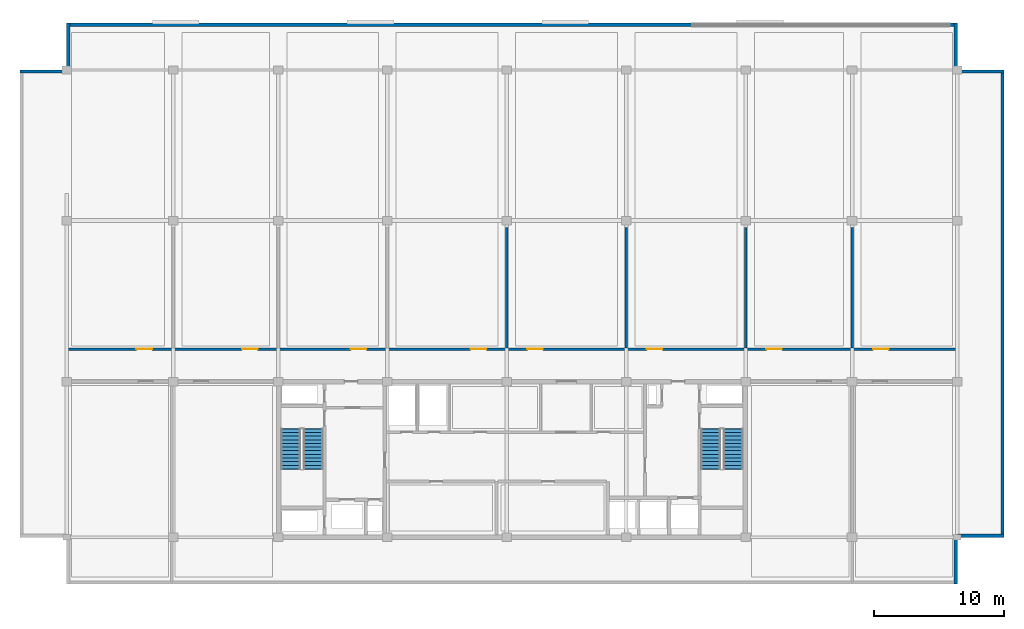
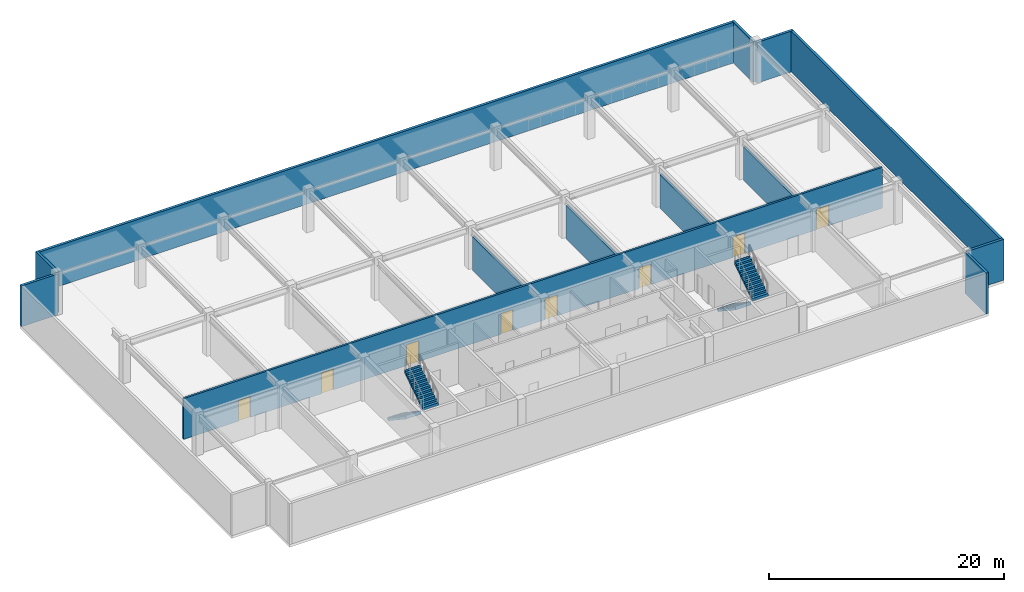
# One storey, part 5 of 9: 13 walls, 8 doors, 4 stair flights, 8 openings, 2 elements without a shape of their own.
"""IFC4 building model written with IfcOpenShell, lengths in metres."""

from ifc_helpers import new_model, si_unit, direction, frame, frame_2d, origin, place, context, subcontext, project, spatial, polyline, rectangle, outline, extrude, material, layer, layer_set, type_object, element, fill, aggregate, save


model = new_model("IFC4")

# Units and contexts
model_context = context("Model", 3, precision=1e-05, world=origin(), true_north=direction((0.0, 1.0)))
body_context = subcontext(model_context, "Body", "Model", "MODEL_VIEW")
ifc_project = project(units=[si_unit("LENGTHUNIT", "METRE"), si_unit("AREAUNIT", "SQUARE_METRE"), si_unit("VOLUMEUNIT", "CUBIC_METRE"), si_unit("PLANEANGLEUNIT", "RADIAN"), si_unit("MASSUNIT", "GRAM", prefix="KILO")], contexts=[model_context])

# Site, building, storey
site_placement = place(None, origin())
site = spatial("IfcSite", under=ifc_project, at=site_placement, CompositionType="ELEMENT")
building_placement = place(site_placement, origin())
building = spatial("IfcBuilding", under=site, at=building_placement, Name="Korimba Cascade Residences", CompositionType="ELEMENT")
storey_placement = place(building_placement, frame((0.0, 0.0, 259.699951171875)))
storey = spatial("IfcBuildingStorey", under=building, at=storey_placement, Name="L75", CompositionType="ELEMENT", Elevation=259.699951171875)

# Walls
ifc_material_1 = material(Name="Precast concrete C40/50", Category="concrete")
ifc_layer_1 = layer(ifc_material_1, 0.25)
ifc_layer_set_1 = layer_set([ifc_layer_1], Name="Precast concrete C40/50")
wall_type_1 = type_object("IfcWallType", Name="EW-PLNT-250", PredefinedType="SHEAR", material=ifc_layer_set_1)
wall_1_placement = place(storey_placement, frame((128.27490234375, 51.60009765625, 0.0), z_axis=(0.0, 0.0, 1.0), x_axis=(0.0, 1.0, 0.0)))
element("IfcWall", 1, at=wall_1_placement, inside=storey, type_object=wall_type_1, Name="L75 T1 Perimeter Stone Wall E01", PredefinedType="SHEAR", context=body_context, shape_type="SweptSolid", body=[
    extrude(rectangle(XDim=3.599853515625, YDim=0.25, at=frame_2d((1.7998046875, 0.0))), origin(), (0.0, 0.0, 1.0), 4.22998046875),
])
wall_2_placement = place(storey_placement, frame((128.39990234375, 55.324951171875, 0.0), z_axis=(0.0, 0.0, 1.0), x_axis=(1.0, 0.0, 0.0)))
element("IfcWall", 2, at=wall_2_placement, inside=storey, type_object=wall_type_1, Name="L75 T1 Perimeter Stone Wall E02", PredefinedType="SHEAR", context=body_context, shape_type="SweptSolid", body=[
    extrude(rectangle(XDim=3.60009765625, YDim=0.25, at=frame_2d((1.800048828125, 0.0))), origin(), (0.0, 0.0, 1.0), 4.22998046875),
])
wall_3_placement = place(storey_placement, frame((131.875, 55.199951171875, 0.0), z_axis=(0.0, 0.0, 1.0), x_axis=(0.0, 1.0, 0.0)))
element("IfcWall", 3, at=wall_3_placement, inside=storey, type_object=wall_type_1, Name="L75 T1 Perimeter Stone Wall E03", PredefinedType="SHEAR", context=body_context, shape_type="SweptSolid", body=[
    extrude(rectangle(XDim=36.0, YDim=0.25, at=frame_2d((18.0, 0.0))), origin(), (0.0, 0.0, 1.0), 4.22998046875),
])
for number, where, z_axis, x_axis, name in (
    (4, (132.0, 91.074951171875, 0.0), (0.0, 0.0, 1.0), (-1.0, 0.0, 0.0), "L75 T1 Perimeter Stone Wall E04"),
    (5, (128.27490234375, 91.199951171875, 0.0), (0.0, 0.0, 1.0), (0.0, 1.0, 0.0), "L75 T1 Perimeter Stone Wall E05"),
):
    element("IfcWall", number, at=place(storey_placement, frame(where, z_axis=z_axis, x_axis=x_axis)), inside=storey, type_object=wall_type_1, Name=name, PredefinedType="SHEAR", context=body_context, shape_type="SweptSolid", body=[
        extrude(rectangle(XDim=3.60009765625, YDim=0.25, at=frame_2d((1.800048828125, 0.0))), origin(), (0.0, 0.0, 1.0), 4.22998046875),
    ])
wall_4_placement = place(storey_placement, frame((128.39990234375, 94.675048828125, 0.0), z_axis=(0.0, 0.0, 1.0), x_axis=(-1.0, 0.0, 0.0)))
element("IfcWall", 6, at=wall_4_placement, inside=storey, type_object=wall_type_1, Name="L75 T1 Perimeter Stone Wall E06", PredefinedType="SHEAR", context=body_context, shape_type="SweptSolid", body=[
    extrude(rectangle(XDim=68.599853515625, YDim=0.25, at=frame_2d((34.2998046875, 0.0))), origin(), (0.0, 0.0, 1.0), 4.22998046875),
])
for number, where, z_axis, x_axis, name in (
    (7, (59.925048828125, 94.800048828125, 0.0), (0.0, 0.0, 1.0), (0.0, -1.0, 0.0), "L75 T1 Perimeter Stone Wall E07"),
    (8, (59.800048828125, 91.074951171875, 0.0), (0.0, 0.0, 1.0), (-1.0, 0.0, 0.0), "L75 T1 Perimeter Stone Wall E08"),
):
    element("IfcWall", number, at=place(storey_placement, frame(where, z_axis=z_axis, x_axis=x_axis)), inside=storey, type_object=wall_type_1, Name=name, PredefinedType="SHEAR", context=body_context, shape_type="SweptSolid", body=[
        extrude(rectangle(XDim=3.60009765625, YDim=0.25, at=frame_2d((1.800048828125, 0.0))), origin(), (0.0, 0.0, 1.0), 4.22998046875),
    ])
ifc_material_2 = material(Name="Concrete C40/50", Category="concrete")
ifc_layer_2 = layer(ifc_material_2, 0.199951171875)
ifc_layer_set_2 = layer_set([ifc_layer_2], Name="Concrete C40/50")
wall_type_2 = type_object("IfcWallType", Name="WAL-PART-200", PredefinedType="PARTITIONING", material=ifc_layer_set_2)
for number, where, z_axis, x_axis, name in (
    (9, (93.699951171875, 69.800048828125, 0.0), (0.0, 0.0, 1.0), (0.0, 1.0, 0.0), "L75 Partition Wall WAL-L75-T1-PD4"),
    (10, (102.89990234375, 69.800048828125, 0.0), (0.0, 0.0, 1.0), (0.0, 1.0, 0.0), "L75 Partition Wall WAL-L75-T1-PD5"),
    (11, (112.10009765625, 69.800048828125, 0.0), (0.0, 0.0, 1.0), (0.0, 1.0, 0.0), "L75 Partition Wall WAL-L75-T1-PD6"),
    (12, (120.300048828125, 69.800048828125, 0.0), (0.0, 0.0, 1.0), (0.0, 1.0, 0.0), "L75 Partition Wall WAL-L75-T1-PD7"),
):
    element("IfcWall", number, at=place(storey_placement, frame(where, z_axis=z_axis, x_axis=x_axis)), inside=storey, type_object=wall_type_2, Name=name, PredefinedType="PARTITIONING", context=body_context, shape_type="SweptSolid", body=[
        extrude(rectangle(XDim=9.25, YDim=0.199951171875, at=frame_2d((4.625, 0.0))), origin(), (0.0, 0.0, 1.0), 3.537109375),
    ])

# Wall, openings, doors
wall_5_placement = place(storey_placement, frame((59.800048828125, 69.699951171875, 0.0), z_axis=(0.0, 0.0, 1.0), x_axis=(1.0, 0.0, 0.0)))
wall_5 = element("IfcWall", 13, at=wall_5_placement, inside=storey, type_object=wall_type_2, Name="L75 Partition Wall WAL-L75-T1-PCORN", PredefinedType="PARTITIONING", context=body_context, shape_type="SweptSolid", body=[
    extrude(rectangle(XDim=68.599853515625, YDim=0.199951171875, at=frame_2d((34.2998046875, 0.0))), origin(), (0.0, 0.0, 1.0), 4.22998046875),
])
opening_1_placement = place(wall_5_placement, frame((5.3720703125, 0.0, 0.0)))
opening_1 = element("IfcOpeningElement", 14, at=opening_1_placement, cuts=wall_5, Name="Opening D-FD3", PredefinedType="OPENING", context=body_context, shape_type="SweptSolid", body=[
    extrude(rectangle(XDim=1.199951171875, YDim=2.14990234375, at=frame_2d((0.60009765625, 1.074951171875))), frame((0.0, 0.10986328125, 0.0), z_axis=(0.0, -1.0, 0.0), x_axis=(1.0, 0.0, 0.0)), (0.0, 0.0, 1.0), 0.219970703125),
])
opening_2_placement = place(wall_5_placement, frame((13.513916015625, 0.0, 0.0)))
opening_2 = element("IfcOpeningElement", 15, at=opening_2_placement, cuts=wall_5, Name="Opening D-FD3", PredefinedType="OPENING", context=body_context, shape_type="SweptSolid", body=[
    extrude(rectangle(XDim=1.199951171875, YDim=2.14990234375, at=frame_2d((0.60009765625, 1.074951171875))), frame((0.0, 0.10986328125, 0.0), z_axis=(0.0, -1.0, 0.0), x_axis=(1.0, 0.0, 0.0)), (0.0, 0.0, 1.0), 0.219970703125),
])
opening_3_placement = place(wall_5_placement, frame((21.884033203125, 0.0, 0.0)))
opening_3 = element("IfcOpeningElement", 16, at=opening_3_placement, cuts=wall_5, Name="Opening D-FD3", PredefinedType="OPENING", context=body_context, shape_type="SweptSolid", body=[
    extrude(rectangle(XDim=1.199951171875, YDim=2.14990234375, at=frame_2d((0.60009765625, 1.074951171875))), frame((0.0, 0.10986328125, 0.0), z_axis=(0.0, -1.0, 0.0), x_axis=(1.0, 0.0, 0.0)), (0.0, 0.0, 1.0), 0.219970703125),
])
opening_4_placement = place(wall_5_placement, frame((31.119140625, 0.0, 0.0)))
opening_4 = element("IfcOpeningElement", 17, at=opening_4_placement, cuts=wall_5, Name="Opening D-FD3", PredefinedType="OPENING", context=body_context, shape_type="SweptSolid", body=[
    extrude(rectangle(XDim=1.199951171875, YDim=2.14990234375, at=frame_2d((0.60009765625, 1.074951171875))), frame((0.0, 0.10986328125, 0.0), z_axis=(0.0, -1.0, 0.0), x_axis=(1.0, 0.0, 0.0)), (0.0, 0.0, 1.0), 0.219970703125),
])
opening_5_placement = place(wall_5_placement, frame((35.480712890625, 0.0, 0.0)))
opening_5 = element("IfcOpeningElement", 18, at=opening_5_placement, cuts=wall_5, Name="Opening D-FD3", PredefinedType="OPENING", context=body_context, shape_type="SweptSolid", body=[
    extrude(rectangle(XDim=1.199951171875, YDim=2.14990234375, at=frame_2d((0.60009765625, 1.074951171875))), frame((0.0, 0.10986328125, 0.0), z_axis=(0.0, -1.0, 0.0), x_axis=(1.0, 0.0, 0.0)), (0.0, 0.0, 1.0), 0.219970703125),
])
opening_6_placement = place(wall_5_placement, frame((44.680908203125, 0.0, 0.0)))
opening_6 = element("IfcOpeningElement", 19, at=opening_6_placement, cuts=wall_5, Name="Opening D-FD3", PredefinedType="OPENING", context=body_context, shape_type="SweptSolid", body=[
    extrude(rectangle(XDim=1.199951171875, YDim=2.14990234375, at=frame_2d((0.60009765625, 1.074951171875))), frame((0.0, 0.10986328125, 0.0), z_axis=(0.0, -1.0, 0.0), x_axis=(1.0, 0.0, 0.0)), (0.0, 0.0, 1.0), 0.219970703125),
])
opening_7_placement = place(wall_5_placement, frame((53.89599609375, 0.0, 0.0)))
opening_7 = element("IfcOpeningElement", 20, at=opening_7_placement, cuts=wall_5, Name="Opening D-FD3", PredefinedType="OPENING", context=body_context, shape_type="SweptSolid", body=[
    extrude(rectangle(XDim=1.199951171875, YDim=2.14990234375, at=frame_2d((0.60009765625, 1.074951171875))), frame((0.0, 0.10986328125, 0.0), z_axis=(0.0, -1.0, 0.0), x_axis=(1.0, 0.0, 0.0)), (0.0, 0.0, 1.0), 0.219970703125),
])
opening_8_placement = place(wall_5_placement, frame((62.117919921875, 0.0, 0.0)))
opening_8 = element("IfcOpeningElement", 21, at=opening_8_placement, cuts=wall_5, Name="Opening D-FD3", PredefinedType="OPENING", context=body_context, shape_type="SweptSolid", body=[
    extrude(rectangle(XDim=1.199951171875, YDim=2.14990234375, at=frame_2d((0.60009765625, 1.074951171875))), frame((0.0, 0.10986328125, 0.0), z_axis=(0.0, -1.0, 0.0), x_axis=(1.0, 0.0, 0.0)), (0.0, 0.0, 1.0), 0.219970703125),
])
ifc_material_3 = material(Name="Fire-Rated Steel Plant Door", Category="steel")
door_type = type_object("IfcDoorType", Name="DR-FD120-1200", OperationType="NOTDEFINED", PredefinedType="DOOR", material=ifc_material_3)
door_1_placement = place(opening_1_placement, origin())
door_1 = element("IfcDoor", 22, at=door_1_placement, inside=storey, type_object=door_type, Name="L75 Chiller Plant Room Door", OperationType="SINGLE_SWING_RIGHT", OverallHeight=2.14990234375, OverallWidth=1.199951171875, PredefinedType="DOOR", context=body_context, shape_type="SweptSolid", body=[
    extrude(rectangle(XDim=1.199951171875, YDim=2.14990234375, at=frame_2d((0.60009765625, 1.074951171875))), frame((0.0, 0.02490234375, 0.0), z_axis=(0.0, -1.0, 0.0), x_axis=(1.0, 0.0, 0.0)), (0.0, 0.0, 1.0), 0.050048828125),
])
fill(opening_1, door_1)
door_2_placement = place(opening_2_placement, origin())
door_2 = element("IfcDoor", 23, at=door_2_placement, inside=storey, type_object=door_type, Name="L75 Condenser Water Plant Room Door", OperationType="SINGLE_SWING_LEFT", OverallHeight=2.14990234375, OverallWidth=1.199951171875, PredefinedType="DOOR", context=body_context, shape_type="SweptSolid", body=[
    extrude(rectangle(XDim=1.199951171875, YDim=2.14990234375, at=frame_2d((0.60009765625, 1.074951171875))), frame((0.0, 0.02490234375, 0.0), z_axis=(0.0, -1.0, 0.0), x_axis=(1.0, 0.0, 0.0)), (0.0, 0.0, 1.0), 0.050048828125),
])
fill(opening_2, door_2)
door_3_placement = place(opening_3_placement, origin())
door_3 = element("IfcDoor", 24, at=door_3_placement, inside=storey, type_object=door_type, Name="L75 Heat-Recovery AHU Plant Room Door", OperationType="SINGLE_SWING_RIGHT", OverallHeight=2.14990234375, OverallWidth=1.199951171875, PredefinedType="DOOR", context=body_context, shape_type="SweptSolid", body=[
    extrude(rectangle(XDim=1.199951171875, YDim=2.14990234375, at=frame_2d((0.60009765625, 1.074951171875))), frame((0.0, 0.02490234375, 0.0), z_axis=(0.0, -1.0, 0.0), x_axis=(1.0, 0.0, 0.0)), (0.0, 0.0, 1.0), 0.050048828125),
])
fill(opening_3, door_3)
door_4_placement = place(opening_4_placement, origin())
door_4 = element("IfcDoor", 25, at=door_4_placement, inside=storey, type_object=door_type, Name="L75 Smoke Exhaust Fan Plant Room Door", OperationType="SINGLE_SWING_LEFT", OverallHeight=2.14990234375, OverallWidth=1.199951171875, PredefinedType="DOOR", context=body_context, shape_type="SweptSolid", body=[
    extrude(rectangle(XDim=1.199951171875, YDim=2.14990234375, at=frame_2d((0.60009765625, 1.074951171875))), frame((0.0, 0.02490234375, 0.0), z_axis=(0.0, -1.0, 0.0), x_axis=(1.0, 0.0, 0.0)), (0.0, 0.0, 1.0), 0.050048828125),
])
fill(opening_4, door_4)
door_5_placement = place(opening_5_placement, origin())
door_5 = element("IfcDoor", 26, at=door_5_placement, inside=storey, type_object=door_type, Name="L75 Hydronic Pump Plant Room Door", OperationType="SINGLE_SWING_RIGHT", OverallHeight=2.14990234375, OverallWidth=1.199951171875, PredefinedType="DOOR", context=body_context, shape_type="SweptSolid", body=[
    extrude(rectangle(XDim=1.199951171875, YDim=2.14990234375, at=frame_2d((0.60009765625, 1.074951171875))), frame((0.0, 0.02490234375, 0.0), z_axis=(0.0, -1.0, 0.0), x_axis=(1.0, 0.0, 0.0)), (0.0, 0.0, 1.0), 0.050048828125),
])
fill(opening_5, door_5)
door_6_placement = place(opening_6_placement, origin())
door_6 = element("IfcDoor", 27, at=door_6_placement, inside=storey, type_object=door_type, Name="L75 Sprinkler Booster Plant Room Door", OperationType="SINGLE_SWING_LEFT", OverallHeight=2.14990234375, OverallWidth=1.199951171875, PredefinedType="DOOR", context=body_context, shape_type="SweptSolid", body=[
    extrude(rectangle(XDim=1.199951171875, YDim=2.14990234375, at=frame_2d((0.60009765625, 1.074951171875))), frame((0.0, 0.02490234375, 0.0), z_axis=(0.0, -1.0, 0.0), x_axis=(1.0, 0.0, 0.0)), (0.0, 0.0, 1.0), 0.050048828125),
])
fill(opening_6, door_6)
door_7_placement = place(opening_7_placement, origin())
door_7 = element("IfcDoor", 28, at=door_7_placement, inside=storey, type_object=door_type, Name="L75 BMS Control Switchroom Plant Door", OperationType="SINGLE_SWING_RIGHT", OverallHeight=2.14990234375, OverallWidth=1.199951171875, PredefinedType="DOOR", context=body_context, shape_type="SweptSolid", body=[
    extrude(rectangle(XDim=1.199951171875, YDim=2.14990234375, at=frame_2d((0.60009765625, 1.074951171875))), frame((0.0, 0.02490234375, 0.0), z_axis=(0.0, -1.0, 0.0), x_axis=(1.0, 0.0, 0.0)), (0.0, 0.0, 1.0), 0.050048828125),
])
fill(opening_7, door_7)
door_8_placement = place(opening_8_placement, origin())
door_8 = element("IfcDoor", 29, at=door_8_placement, inside=storey, type_object=door_type, Name="L75 Crown HV Switchroom Plant Door", OperationType="SINGLE_SWING_LEFT", OverallHeight=2.14990234375, OverallWidth=1.199951171875, PredefinedType="DOOR", context=body_context, shape_type="SweptSolid", body=[
    extrude(rectangle(XDim=1.199951171875, YDim=2.14990234375, at=frame_2d((0.60009765625, 1.074951171875))), frame((0.0, 0.02490234375, 0.0), z_axis=(0.0, -1.0, 0.0), x_axis=(1.0, 0.0, 0.0)), (0.0, 0.0, 1.0), 0.050048828125),
])
fill(opening_8, door_8)

# Stair, stair flights
ifc_material_4 = material(Name="Concrete C50/60", Category="concrete")
stair_type_1 = type_object("IfcStairType", Name="STR-W1-24R-1875", PredefinedType="HALF_TURN_STAIR", material=ifc_material_4)
stair_1_placement = place(storey_placement, origin())
stair_1 = element("IfcStair", 30, at=stair_1_placement, inside=storey, type_object=stair_type_1, Name="L75 Tower 1 West Fire Stair ST-W1", PredefinedType="HALF_TURN_STAIR")
stair_flight_type = type_object("IfcStairFlightType", Name="STF-DL-24R-1875-1520", PredefinedType="STRAIGHT", material=ifc_material_4)
stair_flight_1_placement = place(storey_placement, frame((77.06005859375, 63.550048828125, 0.0), z_axis=(0.0, 0.0, 1.0), x_axis=(0.0, -1.0, 0.0)))
stair_flight_1 = element("IfcStairFlight", 31, at=stair_flight_1_placement, type_object=stair_flight_type, Name="ST-W1 flight 1", NumberOfRisers=12, NumberOfTreads=11, PredefinedType="STRAIGHT", RiserHeight=0.1875, TreadLength=0.28, context=body_context, shape_type="SweptSolid", body=[
    extrude(outline(polyline([(-0.0380859375, 0.0), (0.0, 0.1875), (0.280029296875, 0.1875), (0.280029296875, 0.375), (0.56005859375, 0.375), (0.56005859375, 0.5625), (0.840087890625, 0.5625), (0.840087890625, 0.75), (1.1201171875, 0.75), (1.1201171875, 0.9375), (1.39990234375, 0.9375), (1.39990234375, 1.125), (1.679931640625, 1.125), (1.679931640625, 1.3125), (1.9599609375, 1.3125), (1.9599609375, 1.5), (2.239990234375, 1.5), (2.239990234375, 1.6875), (2.52001953125, 1.6875), (2.52001953125, 1.875), (2.800048828125, 1.875), (2.800048828125, 2.0625), (3.080078125, 2.0625), (3.080078125, 2.25), (3.117919921875, 2.25), (3.117919921875, 1.882080078125), (0.26953125, 0.0), (0.26953125, -0.0380859375), (-0.0380859375, -0.0380859375), (-0.0380859375, 0.0)])), frame((0.0, 0.760009765625, 0.0), z_axis=(0.0, -1.0, 0.0), x_axis=(1.0, 0.0, 0.0)), (0.0, 0.0, 1.0), 1.52001953125),
])
stair_flight_2_placement = place(storey_placement, frame((78.780029296875, 60.469970703125, 2.25), z_axis=(0.0, 0.0, 1.0), x_axis=(0.0, 1.0, 0.0)))
stair_flight_2 = element("IfcStairFlight", 32, at=stair_flight_2_placement, type_object=stair_flight_type, Name="ST-W1 flight 2", NumberOfRisers=12, NumberOfTreads=11, PredefinedType="STRAIGHT", RiserHeight=0.1875, TreadLength=0.28, context=body_context, shape_type="SweptSolid", body=[
    extrude(outline(polyline([(-0.0380859375, 0.0), (0.0, 0.1875), (0.280029296875, 0.1875), (0.280029296875, 0.375), (0.56005859375, 0.375), (0.56005859375, 0.5625), (0.840087890625, 0.5625), (0.840087890625, 0.75), (1.1201171875, 0.75), (1.1201171875, 0.9375), (1.39990234375, 0.9375), (1.39990234375, 1.125), (1.679931640625, 1.125), (1.679931640625, 1.3125), (1.9599609375, 1.3125), (1.9599609375, 1.5), (2.239990234375, 1.5), (2.239990234375, 1.6875), (2.52001953125, 1.6875), (2.52001953125, 1.875), (2.800048828125, 1.875), (2.800048828125, 2.0625), (3.080078125, 2.0625), (3.080078125, 2.25), (3.117919921875, 2.25), (3.117919921875, 1.882080078125), (0.26953125, 0.0), (0.26953125, -0.0380859375), (-0.0380859375, -0.0380859375), (-0.0380859375, 0.0)])), frame((0.0, 0.760009765625, 0.0), z_axis=(0.0, -1.0, 0.0), x_axis=(1.0, 0.0, 0.0)), (0.0, 0.0, 1.0), 1.52001953125),
])
aggregate(stair_1, [stair_flight_1, stair_flight_2])

stair_type_2 = type_object("IfcStairType", Name="STR-W2-24R-1875", PredefinedType="HALF_TURN_STAIR", material=ifc_material_4)
stair_2_placement = place(storey_placement, origin())
stair_2 = element("IfcStair", 33, at=stair_2_placement, inside=storey, type_object=stair_type_2, Name="L75 Tower 1 East Fire Stair ST-W2", PredefinedType="HALF_TURN_STAIR")
stair_flight_3_placement = place(storey_placement, frame((109.419921875, 63.550048828125, 0.0), z_axis=(0.0, 0.0, 1.0), x_axis=(0.0, -1.0, 0.0)))
stair_flight_3 = element("IfcStairFlight", 34, at=stair_flight_3_placement, type_object=stair_flight_type, Name="ST-W2 flight 1", NumberOfRisers=12, NumberOfTreads=11, PredefinedType="STRAIGHT", RiserHeight=0.1875, TreadLength=0.28, context=body_context, shape_type="SweptSolid", body=[
    extrude(outline(polyline([(-0.0380859375, 0.0), (0.0, 0.1875), (0.280029296875, 0.1875), (0.280029296875, 0.375), (0.56005859375, 0.375), (0.56005859375, 0.5625), (0.840087890625, 0.5625), (0.840087890625, 0.75), (1.1201171875, 0.75), (1.1201171875, 0.9375), (1.39990234375, 0.9375), (1.39990234375, 1.125), (1.679931640625, 1.125), (1.679931640625, 1.3125), (1.9599609375, 1.3125), (1.9599609375, 1.5), (2.239990234375, 1.5), (2.239990234375, 1.6875), (2.52001953125, 1.6875), (2.52001953125, 1.875), (2.800048828125, 1.875), (2.800048828125, 2.0625), (3.080078125, 2.0625), (3.080078125, 2.25), (3.117919921875, 2.25), (3.117919921875, 1.882080078125), (0.26953125, 0.0), (0.26953125, -0.0380859375), (-0.0380859375, -0.0380859375), (-0.0380859375, 0.0)])), frame((0.0, 0.760009765625, 0.0), z_axis=(0.0, -1.0, 0.0), x_axis=(1.0, 0.0, 0.0)), (0.0, 0.0, 1.0), 1.52001953125),
])
stair_flight_4_placement = place(storey_placement, frame((111.139892578125, 60.469970703125, 2.25), z_axis=(0.0, 0.0, 1.0), x_axis=(0.0, 1.0, 0.0)))
stair_flight_4 = element("IfcStairFlight", 35, at=stair_flight_4_placement, type_object=stair_flight_type, Name="ST-W2 flight 2", NumberOfRisers=12, NumberOfTreads=11, PredefinedType="STRAIGHT", RiserHeight=0.1875, TreadLength=0.28, context=body_context, shape_type="SweptSolid", body=[
    extrude(outline(polyline([(-0.0380859375, 0.0), (0.0, 0.1875), (0.280029296875, 0.1875), (0.280029296875, 0.375), (0.56005859375, 0.375), (0.56005859375, 0.5625), (0.840087890625, 0.5625), (0.840087890625, 0.75), (1.1201171875, 0.75), (1.1201171875, 0.9375), (1.39990234375, 0.9375), (1.39990234375, 1.125), (1.679931640625, 1.125), (1.679931640625, 1.3125), (1.9599609375, 1.3125), (1.9599609375, 1.5), (2.239990234375, 1.5), (2.239990234375, 1.6875), (2.52001953125, 1.6875), (2.52001953125, 1.875), (2.800048828125, 1.875), (2.800048828125, 2.0625), (3.080078125, 2.0625), (3.080078125, 2.25), (3.117919921875, 2.25), (3.117919921875, 1.882080078125), (0.26953125, 0.0), (0.26953125, -0.0380859375), (-0.0380859375, -0.0380859375), (-0.0380859375, 0.0)])), frame((0.0, 0.760009765625, 0.0), z_axis=(0.0, -1.0, 0.0), x_axis=(1.0, 0.0, 0.0)), (0.0, 0.0, 1.0), 1.52001953125),
])
aggregate(stair_2, [stair_flight_3, stair_flight_4])

save(model, "model.ifc")
